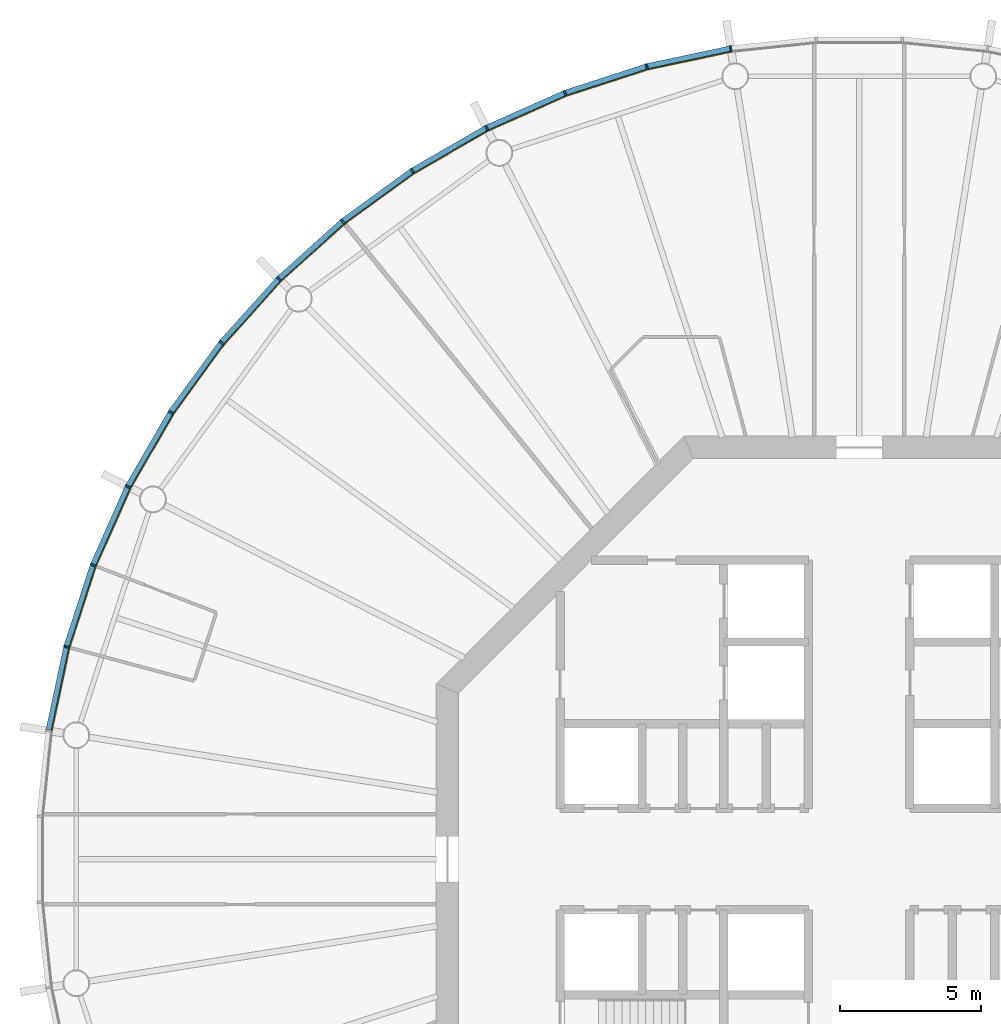
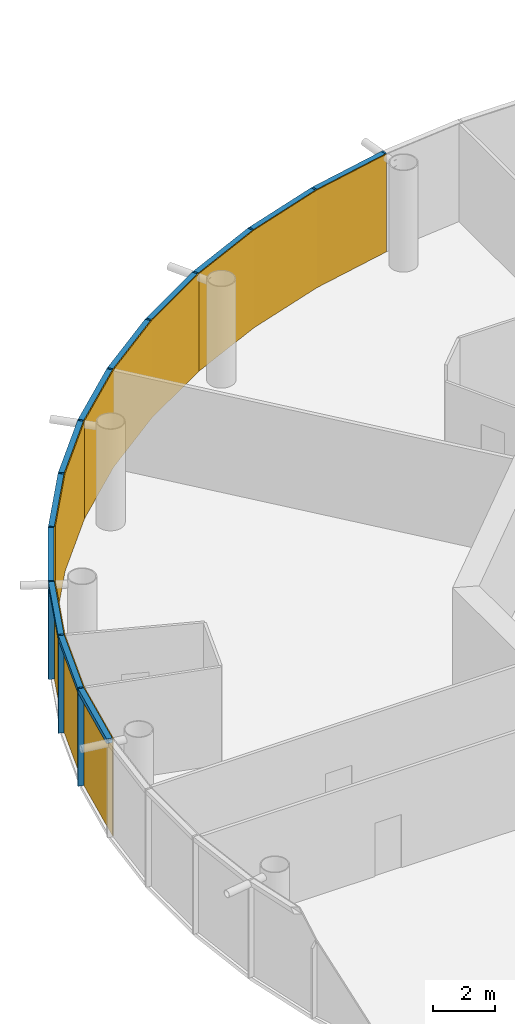
# One storey, part 10 of 13: 24 members, 4 curtain walls.
"""IFC4 building model written with IfcOpenShell, lengths in metres."""

from ifc_helpers import new_model, si_unit, direction, frame, origin, origin_2d, place, context, subcontext, project, spatial, polyline, rectangle, outline, extrude, material, layer, layer_set, material_profile, profile_set, type_object, element, aggregate, save


model = new_model("IFC4")

# Units and contexts
model_context = context("Model", 3, precision=1e-05, world=origin(), true_north=direction((0.0, 1.0)))
body_context = subcontext(model_context, "Body", "Model", "MODEL_VIEW")
ifc_project = project(units=[si_unit("LENGTHUNIT", "METRE"), si_unit("AREAUNIT", "SQUARE_METRE"), si_unit("VOLUMEUNIT", "CUBIC_METRE"), si_unit("PLANEANGLEUNIT", "RADIAN"), si_unit("MASSUNIT", "GRAM", prefix="KILO")], contexts=[model_context])

# Member
ifc_material_1 = material(Name="Anodised aluminium", Category="aluminium")
ifc_material_profile_1 = material_profile(ifc_material_1, rectangle(XDim=0.06494140625, YDim=0.195068359375, at=origin_2d()), Name="Mullion 65 x 195 mm anodised aluminium")
ifc_profile_set_1 = profile_set([ifc_material_profile_1], Name="Anodised aluminium")
member_type_1 = type_object("IfcMemberType", Name="Mullion 65 x 195 mm anodised aluminium", PredefinedType="MULLION", material=ifc_profile_set_1)
site_placement = place(None, origin())
building_placement = place(site_placement, origin())
storey_placement = place(building_placement, frame((0.0, 0.0, 290.0)))
member_1_placement = place(storey_placement, frame((85.4482421875, 108.7392578125, 0.0), z_axis=(0.0, 0.0, 1.0), x_axis=(-0.987688340595, -0.15643446504, 0.0)))
member_1 = element("IfcMember", 1, at=member_1_placement, type_object=member_type_1, Name="MULLION L66-15", PredefinedType="MULLION", context=body_context, shape_type="SweptSolid", body=[
    extrude(rectangle(XDim=0.06494140625, YDim=0.195068359375, at=origin_2d()), origin(), (0.0, 0.0, 1.0), 3.85009765625),
])

member_2_placement = place(storey_placement, frame((82.468994140625, 108.10595703125, 0.0), z_axis=(0.0, 0.0, 1.0), x_axis=(-0.965925826289, -0.258819045103, 0.0)))
member_2 = element("IfcMember", 2, at=member_2_placement, type_object=member_type_1, Name="MULLION L66-16", PredefinedType="MULLION", context=body_context, shape_type="SweptSolid", body=[
    extrude(rectangle(XDim=0.06494140625, YDim=0.195068359375, at=origin_2d()), origin(), (0.0, 0.0, 1.0), 3.85009765625),
])

member_3_placement = place(storey_placement, frame((79.572509765625, 107.164794921875, 0.0), z_axis=(0.0, 0.0, 1.0), x_axis=(-0.933580426497, -0.358367949545, 0.0)))
member_3 = element("IfcMember", 3, at=member_3_placement, type_object=member_type_1, Name="MULLION L66-17", PredefinedType="MULLION", context=body_context, shape_type="SweptSolid", body=[
    extrude(rectangle(XDim=0.06494140625, YDim=0.195068359375, at=origin_2d()), origin(), (0.0, 0.0, 1.0), 3.85009765625),
])

member_4_placement = place(storey_placement, frame((76.7900390625, 105.926025390625, 0.0), z_axis=(0.0, 0.0, 1.0), x_axis=(-0.891006524188, -0.45399049974, 0.0)))
member_4 = element("IfcMember", 4, at=member_4_placement, type_object=member_type_1, Name="MULLION L66-18", PredefinedType="MULLION", context=body_context, shape_type="SweptSolid", body=[
    extrude(rectangle(XDim=0.06494140625, YDim=0.195068359375, at=origin_2d()), origin(), (0.0, 0.0, 1.0), 3.85009765625),
])

member_5_placement = place(storey_placement, frame((74.15234375, 104.4033203125, 0.0), z_axis=(0.0, 0.0, 1.0), x_axis=(-0.838670567945, -0.544639035015, 0.0)))
member_5 = element("IfcMember", 5, at=member_5_placement, type_object=member_type_1, Name="MULLION L66-19", PredefinedType="MULLION", context=body_context, shape_type="SweptSolid", body=[
    extrude(rectangle(XDim=0.06494140625, YDim=0.195068359375, at=origin_2d()), origin(), (0.0, 0.0, 1.0), 3.85009765625),
])

member_6_placement = place(storey_placement, frame((71.688232421875, 102.613037109375, 0.0), z_axis=(0.0, 0.0, 1.0), x_axis=(-0.777145961457, -0.62932039105, 0.0)))
member_6 = element("IfcMember", 6, at=member_6_placement, type_object=member_type_1, Name="MULLION L66-20", PredefinedType="MULLION", context=body_context, shape_type="SweptSolid", body=[
    extrude(rectangle(XDim=0.06494140625, YDim=0.195068359375, at=origin_2d()), origin(), (0.0, 0.0, 1.0), 3.85009765625),
])

member_7_placement = place(storey_placement, frame((69.425048828125, 100.574951171875, 0.0), z_axis=(0.0, 0.0, 1.0), x_axis=(-0.707106781187, -0.707106781187, 0.0)))
member_7 = element("IfcMember", 7, at=member_7_placement, type_object=member_type_1, Name="MULLION L66-21", PredefinedType="MULLION", context=body_context, shape_type="SweptSolid", body=[
    extrude(rectangle(XDim=0.06494140625, YDim=0.195068359375, at=origin_2d()), origin(), (0.0, 0.0, 1.0), 3.85009765625),
])

member_8_placement = place(storey_placement, frame((67.386962890625, 98.311767578125, 0.0), z_axis=(0.0, 0.0, 1.0), x_axis=(-0.62932039105, -0.777145961457, 0.0)))
member_8 = element("IfcMember", 8, at=member_8_placement, type_object=member_type_1, Name="MULLION L66-22", PredefinedType="MULLION", context=body_context, shape_type="SweptSolid", body=[
    extrude(rectangle(XDim=0.06494140625, YDim=0.195068359375, at=origin_2d()), origin(), (0.0, 0.0, 1.0), 3.85009765625),
])

member_9_placement = place(storey_placement, frame((65.5966796875, 95.84765625, 0.0), z_axis=(0.0, 0.0, 1.0), x_axis=(-0.544639035015, -0.838670567945, 0.0)))
member_9 = element("IfcMember", 9, at=member_9_placement, type_object=member_type_1, Name="MULLION L66-23", PredefinedType="MULLION", context=body_context, shape_type="SweptSolid", body=[
    extrude(rectangle(XDim=0.06494140625, YDim=0.195068359375, at=origin_2d()), origin(), (0.0, 0.0, 1.0), 3.85009765625),
])

member_10_placement = place(storey_placement, frame((64.073974609375, 93.2099609375, 0.0), z_axis=(0.0, 0.0, 1.0), x_axis=(-0.45399049974, -0.891006524188, 0.0)))
member_10 = element("IfcMember", 10, at=member_10_placement, type_object=member_type_1, Name="MULLION L66-24", PredefinedType="MULLION", context=body_context, shape_type="SweptSolid", body=[
    extrude(rectangle(XDim=0.06494140625, YDim=0.195068359375, at=origin_2d()), origin(), (0.0, 0.0, 1.0), 3.85009765625),
])

member_11_placement = place(storey_placement, frame((62.835205078125, 90.427490234375, 0.0), z_axis=(0.0, 0.0, 1.0), x_axis=(-0.358367949545, -0.933580426497, 0.0)))
member_11 = element("IfcMember", 11, at=member_11_placement, type_object=member_type_1, Name="MULLION L66-25", PredefinedType="MULLION", context=body_context, shape_type="SweptSolid", body=[
    extrude(rectangle(XDim=0.06494140625, YDim=0.195068359375, at=origin_2d()), origin(), (0.0, 0.0, 1.0), 3.85009765625),
])

member_12_placement = place(storey_placement, frame((61.89404296875, 87.531005859375, 0.0), z_axis=(0.0, 0.0, 1.0), x_axis=(-0.258819045103, -0.965925826289, 0.0)))
member_12 = element("IfcMember", 12, at=member_12_placement, type_object=member_type_1, Name="MULLION L66-26", PredefinedType="MULLION", context=body_context, shape_type="SweptSolid", body=[
    extrude(rectangle(XDim=0.06494140625, YDim=0.195068359375, at=origin_2d()), origin(), (0.0, 0.0, 1.0), 3.85009765625),
])

ifc_material_2 = material(Name="Anodised aluminium", Category="aluminium")
ifc_material_profile_2 = material_profile(ifc_material_2, rectangle(XDim=0.195068359375, YDim=0.179931640625, at=origin_2d()), Name="Transom 180 x 195 mm anodised aluminium")
ifc_profile_set_2 = profile_set([ifc_material_profile_2], Name="Anodised aluminium")
member_type_2 = type_object("IfcMemberType", Name="Transom 180 x 195 mm anodised aluminium", PredefinedType="USERDEFINED", material=ifc_profile_set_2)
member_13_placement = place(storey_placement, frame((85.411376953125, 108.731689453125, 3.760009765625), z_axis=(-0.978141510112, -0.207940342877, 0.0), x_axis=(0.207940342877, -0.978141510112, 0.0)))
member_13 = element("IfcMember", 13, at=member_13_placement, type_object=member_type_2, Name="TRANSOM L66-15", ObjectType="TRANSOM", PredefinedType="USERDEFINED", context=body_context, shape_type="SweptSolid", body=[
    extrude(rectangle(XDim=0.195068359375, YDim=0.179931640625, at=origin_2d()), origin(), (0.0, 0.0, 1.0), 2.970458984375),
])

member_14_placement = place(storey_placement, frame((82.43310546875, 108.094482421875, 3.760009765625), z_axis=(-0.951047960094, -0.309043326415, 0.0), x_axis=(0.309043326415, -0.951047960094, 0.0)))
member_14 = element("IfcMember", 14, at=member_14_placement, type_object=member_type_2, Name="TRANSOM L66-16", ObjectType="TRANSOM", PredefinedType="USERDEFINED", context=body_context, shape_type="SweptSolid", body=[
    extrude(rectangle(XDim=0.195068359375, YDim=0.179931640625, at=origin_2d()), origin(), (0.0, 0.0, 1.0), 2.970458984375),
])

member_15_placement = place(storey_placement, frame((79.5380859375, 107.149658203125, 3.760009765625), z_axis=(-0.913550406593, -0.406725527369, 0.0), x_axis=(0.406725527369, -0.913550406593, 0.0)))
member_15 = element("IfcMember", 15, at=member_15_placement, type_object=member_type_2, Name="TRANSOM L66-17", ObjectType="TRANSOM", PredefinedType="USERDEFINED", context=body_context, shape_type="SweptSolid", body=[
    extrude(rectangle(XDim=0.195068359375, YDim=0.179931640625, at=origin_2d()), origin(), (0.0, 0.0, 1.0), 2.970703125),
])

member_16_placement = place(storey_placement, frame((76.75732421875, 105.907470703125, 3.760009765625), z_axis=(-0.866009025146, -0.500028367561, 0.0), x_axis=(0.500028367561, -0.866009025146, 0.0)))
member_16 = element("IfcMember", 16, at=member_16_placement, type_object=member_type_2, Name="TRANSOM L66-18", ObjectType="TRANSOM", PredefinedType="USERDEFINED", context=body_context, shape_type="SweptSolid", body=[
    extrude(rectangle(XDim=0.195068359375, YDim=0.179931640625, at=origin_2d()), origin(), (0.0, 0.0, 1.0), 2.970458984375),
])

member_17_placement = place(storey_placement, frame((74.121826171875, 104.381103515625, 3.760009765625), z_axis=(-0.809030990733, -0.587765987476, 0.0), x_axis=(0.587765987476, -0.809030990733, 0.0)))
member_17 = element("IfcMember", 17, at=member_17_placement, type_object=member_type_2, Name="TRANSOM L66-19", ObjectType="TRANSOM", PredefinedType="USERDEFINED", context=body_context, shape_type="SweptSolid", body=[
    extrude(rectangle(XDim=0.195068359375, YDim=0.179931640625, at=origin_2d()), origin(), (0.0, 0.0, 1.0), 2.97021484375),
])

member_18_placement = place(storey_placement, frame((71.660400390625, 102.587890625, 3.760009765625), z_axis=(-0.743163354343, -0.669110027395, 0.0), x_axis=(0.669110027395, -0.743163354343, 0.0)))
member_18 = element("IfcMember", 18, at=member_18_placement, type_object=member_type_2, Name="TRANSOM L66-20", ObjectType="TRANSOM", PredefinedType="USERDEFINED", context=body_context, shape_type="SweptSolid", body=[
    extrude(rectangle(XDim=0.195068359375, YDim=0.179931640625, at=origin_2d()), origin(), (0.0, 0.0, 1.0), 2.970458984375),
])

member_19_placement = place(storey_placement, frame((69.399658203125, 100.547119140625, 3.760009765625), z_axis=(-0.669110027395, -0.743163354343, 0.0), x_axis=(0.743163354343, -0.669110027395, 0.0)))
member_19 = element("IfcMember", 19, at=member_19_placement, type_object=member_type_2, Name="TRANSOM L66-21", ObjectType="TRANSOM", PredefinedType="USERDEFINED", context=body_context, shape_type="SweptSolid", body=[
    extrude(rectangle(XDim=0.195068359375, YDim=0.179931640625, at=origin_2d()), origin(), (0.0, 0.0, 1.0), 2.970458984375),
])

member_20_placement = place(storey_placement, frame((67.36474609375, 98.28125, 3.760009765625), z_axis=(-0.587765987476, -0.809030990733, 0.0), x_axis=(0.809030990733, -0.587765987476, 0.0)))
member_20 = element("IfcMember", 20, at=member_20_placement, type_object=member_type_2, Name="TRANSOM L66-22", ObjectType="TRANSOM", PredefinedType="USERDEFINED", context=body_context, shape_type="SweptSolid", body=[
    extrude(rectangle(XDim=0.195068359375, YDim=0.179931640625, at=origin_2d()), origin(), (0.0, 0.0, 1.0), 2.97021484375),
])

member_21_placement = place(storey_placement, frame((65.577880859375, 95.815185546875, 3.760009765625), z_axis=(-0.500028367561, -0.866009025146, 0.0), x_axis=(0.866009025146, -0.500028367561, 0.0)))
member_21 = element("IfcMember", 21, at=member_21_placement, type_object=member_type_2, Name="TRANSOM L66-23", ObjectType="TRANSOM", PredefinedType="USERDEFINED", context=body_context, shape_type="SweptSolid", body=[
    extrude(rectangle(XDim=0.195068359375, YDim=0.179931640625, at=origin_2d()), origin(), (0.0, 0.0, 1.0), 2.970458984375),
])

member_22_placement = place(storey_placement, frame((64.05859375, 93.17578125, 3.760009765625), z_axis=(-0.406725527369, -0.913550406593, 0.0), x_axis=(0.913550406593, -0.406725527369, 0.0)))
member_22 = element("IfcMember", 22, at=member_22_placement, type_object=member_type_2, Name="TRANSOM L66-24", ObjectType="TRANSOM", PredefinedType="USERDEFINED", context=body_context, shape_type="SweptSolid", body=[
    extrude(rectangle(XDim=0.195068359375, YDim=0.179931640625, at=origin_2d()), origin(), (0.0, 0.0, 1.0), 2.970703125),
])

member_23_placement = place(storey_placement, frame((62.823486328125, 90.391845703125, 3.760009765625), z_axis=(-0.309043326415, -0.951047960094, 0.0), x_axis=(0.951047960094, -0.309043326415, 0.0)))
member_23 = element("IfcMember", 23, at=member_23_placement, type_object=member_type_2, Name="TRANSOM L66-25", ObjectType="TRANSOM", PredefinedType="USERDEFINED", context=body_context, shape_type="SweptSolid", body=[
    extrude(rectangle(XDim=0.195068359375, YDim=0.179931640625, at=origin_2d()), origin(), (0.0, 0.0, 1.0), 2.970458984375),
])

member_24_placement = place(storey_placement, frame((61.885986328125, 87.494140625, 3.760009765625), z_axis=(-0.207940342877, -0.978141510112, 0.0), x_axis=(0.978141510112, -0.207940342877, 0.0)))
member_24 = element("IfcMember", 24, at=member_24_placement, type_object=member_type_2, Name="TRANSOM L66-26", ObjectType="TRANSOM", PredefinedType="USERDEFINED", context=body_context, shape_type="SweptSolid", body=[
    extrude(rectangle(XDim=0.195068359375, YDim=0.179931640625, at=origin_2d()), origin(), (0.0, 0.0, 1.0), 2.970458984375),
])

# Site, building, storey
site = spatial("IfcSite", under=ifc_project, at=site_placement, CompositionType="ELEMENT")
building = spatial("IfcBuilding", under=site, at=building_placement, Name="Entoto Ring Tower", CompositionType="ELEMENT")
storey = spatial("IfcBuildingStorey", under=building, at=storey_placement, Name="L66", CompositionType="ELEMENT", Elevation=290.0)

# Curtain wall
ifc_material_3 = material(Name="Clear low-iron glass", Category="glass")
ifc_layer = layer(ifc_material_3, 0.033935546875)
ifc_layer_set = layer_set([ifc_layer], Name="Clear low-iron glass")
curtain_wall_type = type_object("IfcCurtainWallType", Name="Curtain wall system CW5 glazing 34 mm", PredefinedType="NOTDEFINED", material=ifc_layer_set)
curtain_wall_1_placement = place(storey_placement, origin())
curtain_wall_1 = element("IfcCurtainWall", 25, at=curtain_wall_1_placement, inside=storey, type_object=curtain_wall_type, Name="CW5 L66-06", PredefinedType="NOTDEFINED", context=body_context, shape_type="SweptSolid", body=[
    extrude(outline(polyline([(85.46337890625, 108.64306640625), (82.494140625, 108.011962890625), (79.607421875, 107.07373046875), (76.834228515625, 105.839111328125), (76.849853515625, 105.808837890625), (79.61962890625, 107.0419921875), (82.503173828125, 107.97900390625), (85.46875, 108.609375), (85.46337890625, 108.64306640625)])), origin(), (0.0, 0.0, 1.0), 3.85009765625),
])

aggregate(curtain_wall_1, [member_1, member_2, member_3, member_13, member_14, member_15])

curtain_wall_2_placement = place(storey_placement, origin())
curtain_wall_2 = element("IfcCurtainWall", 26, at=curtain_wall_2_placement, inside=storey, type_object=curtain_wall_type, Name="CW5 L66-07", PredefinedType="NOTDEFINED", context=body_context, shape_type="SweptSolid", body=[
    extrude(outline(polyline([(76.834228515625, 105.839111328125), (74.20556640625, 104.321533203125), (71.749755859375, 102.537353515625), (69.493896484375, 100.506103515625), (69.51806640625, 100.48193359375), (71.771240234375, 102.5107421875), (74.22412109375, 104.29296875), (76.849853515625, 105.808837890625), (76.834228515625, 105.839111328125)])), origin(), (0.0, 0.0, 1.0), 3.85009765625),
])

aggregate(curtain_wall_2, [member_4, member_5, member_6, member_16, member_17, member_18])

curtain_wall_3_placement = place(storey_placement, origin())
curtain_wall_3 = element("IfcCurtainWall", 27, at=curtain_wall_3_placement, inside=storey, type_object=curtain_wall_type, Name="CW5 L66-08", PredefinedType="NOTDEFINED", context=body_context, shape_type="SweptSolid", body=[
    extrude(outline(polyline([(69.493896484375, 100.506103515625), (67.462646484375, 98.250244140625), (65.678466796875, 95.79443359375), (64.160888671875, 93.165771484375), (64.191162109375, 93.150146484375), (65.70703125, 95.77587890625), (67.4892578125, 98.228759765625), (69.51806640625, 100.48193359375), (69.493896484375, 100.506103515625)])), origin(), (0.0, 0.0, 1.0), 3.85009765625),
])

aggregate(curtain_wall_3, [member_7, member_8, member_9, member_19, member_20, member_21])

curtain_wall_4_placement = place(storey_placement, origin())
curtain_wall_4 = element("IfcCurtainWall", 28, at=curtain_wall_4_placement, inside=storey, type_object=curtain_wall_type, Name="CW5 L66-09", PredefinedType="NOTDEFINED", context=body_context, shape_type="SweptSolid", body=[
    extrude(outline(polyline([(64.160888671875, 93.165771484375), (62.92626953125, 90.392578125), (61.988037109375, 87.505859375), (61.35693359375, 84.53662109375), (61.390625, 84.53125), (62.02099609375, 87.496826171875), (62.9580078125, 90.38037109375), (64.191162109375, 93.150146484375), (64.160888671875, 93.165771484375)])), origin(), (0.0, 0.0, 1.0), 3.85009765625),
])

aggregate(curtain_wall_4, [member_10, member_11, member_12, member_22, member_23, member_24])

save(model, "model.ifc")
